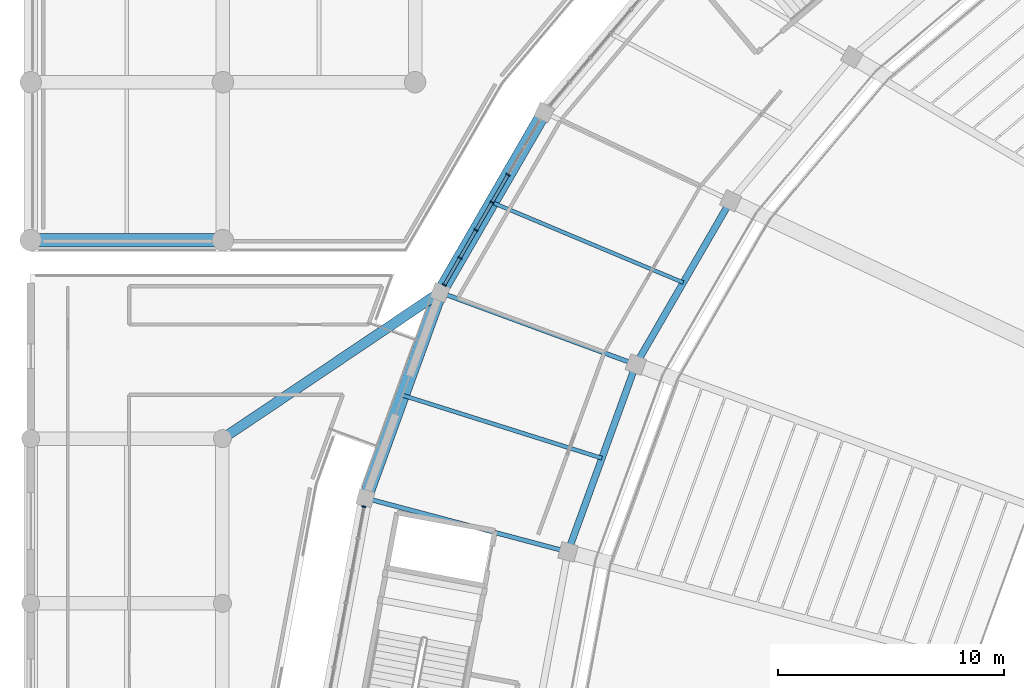
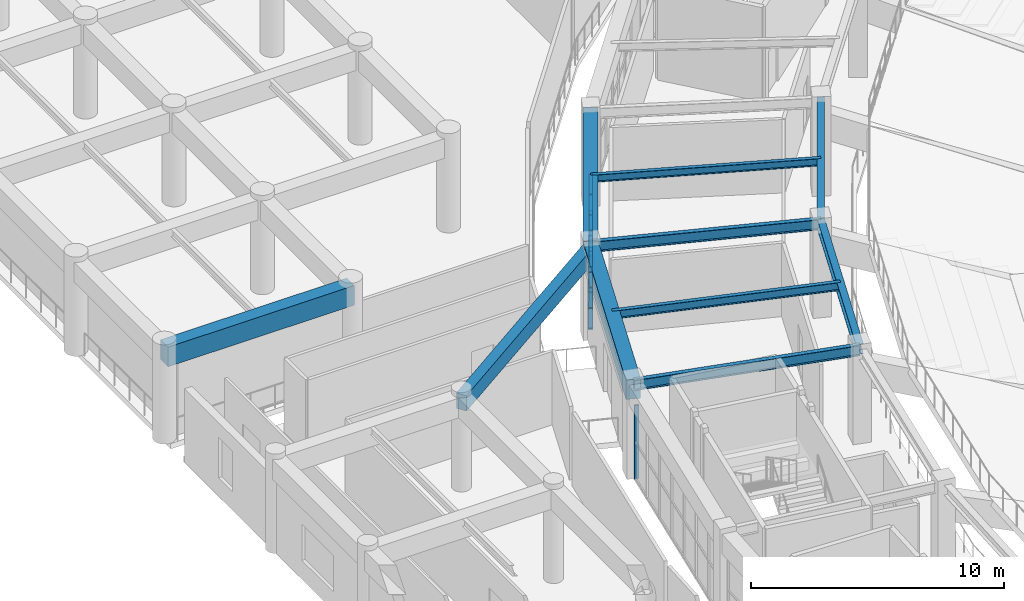
# One storey, part 30 of 137: 18 members, 10 beams, 2 elements without a shape of their own.
"""IFC4 building model written with IfcOpenShell, lengths in metres."""

from ifc_helpers import new_model, si_unit, direction, frame, origin, origin_2d, place, context, subcontext, project, spatial, rectangle, i_section, extrude, material, layer, layer_set, material_profile, profile_set, type_object, element, aggregate, save


model = new_model("IFC4")

# Units and contexts
model_context = context("Model", 3, precision=1e-05, world=origin(), true_north=direction((0.0, 1.0)))
body_context = subcontext(model_context, "Body", "Model", "MODEL_VIEW")
ifc_project = project(units=[si_unit("LENGTHUNIT", "METRE"), si_unit("AREAUNIT", "SQUARE_METRE"), si_unit("VOLUMEUNIT", "CUBIC_METRE"), si_unit("PLANEANGLEUNIT", "RADIAN"), si_unit("MASSUNIT", "GRAM", prefix="KILO")], contexts=[model_context])

# Site, building, storey
site_placement = place(None, origin())
site = spatial("IfcSite", under=ifc_project, at=site_placement, CompositionType="ELEMENT")
building_placement = place(site_placement, origin())
building = spatial("IfcBuilding", under=site, at=building_placement, Name="Mphavela Belvedere Stadium", CompositionType="ELEMENT")
storey_placement = place(building_placement, frame((0.0, 0.0, 19.199951171875)))
storey = spatial("IfcBuildingStorey", under=building, at=storey_placement, Name="L04", CompositionType="ELEMENT", Elevation=19.199951171875)

# Beams
ifc_material_1 = material(Name="Concrete C40/50", Category="concrete")
ifc_material_profile_1 = material_profile(ifc_material_1, rectangle(XDim=0.60009765625, YDim=0.949951171875, at=origin_2d()), Name="RC 600x950")
ifc_profile_set_1 = profile_set([ifc_material_profile_1], Name="Concrete C40/50")
beam_type_1 = type_object("IfcBeamType", Name="BM-ENTABLATURE-950", PredefinedType="SPANDREL", material=ifc_profile_set_1)
beam_1_placement = place(storey_placement, frame((22.757568359375, 130.66162109375, 4.074951171875), z_axis=(-0.500565297122, -0.865698783248, 0.0), x_axis=(0.865698783248, -0.500565297122, 0.0)))
element("IfcBeam", 1, at=beam_1_placement, inside=storey, type_object=beam_type_1, Name="Circumferential girder L04 R4-21", PredefinedType="SPANDREL", context=body_context, shape_type="SweptSolid", body=[
    extrude(rectangle(XDim=0.60009765625, YDim=0.949951171875, at=origin_2d()), origin(), (0.0, 0.0, 1.0), 9.217041015625),
])
beam_2_placement = place(storey_placement, frame((18.143798828125, 122.682373046875, 4.074951171875), z_axis=(-0.341017570596, -0.94005692197, 0.0), x_axis=(0.94005692197, -0.341017570596, 0.0)))
element("IfcBeam", 2, at=beam_2_placement, inside=storey, type_object=beam_type_1, Name="Circumferential girder L04 R4-22", PredefinedType="SPANDREL", context=body_context, shape_type="SweptSolid", body=[
    extrude(rectangle(XDim=0.60009765625, YDim=0.949951171875, at=origin_2d()), origin(), (0.0, 0.0, 1.0), 9.701416015625),
])
beam_3_placement = place(storey_placement, frame((0.0, 125.0, 4.06494140625), z_axis=(1.0, 0.0, 0.0), x_axis=(0.0, 1.0, 0.0)))
element("IfcBeam", 3, at=beam_3_placement, inside=storey, type_object=beam_type_1, Name="North Mast and Ceremonial End Forecourt entablature beam X L04 1-1", PredefinedType="SPANDREL", context=body_context, shape_type="SweptSolid", body=[
    extrude(rectangle(XDim=0.60009765625, YDim=0.949951171875, at=origin_2d()), origin(), (0.0, 0.0, 1.0), 8.51904296875),
])
ifc_material_2 = material(Name="Steel S355", Category="steel")
ifc_material_profile_2 = material_profile(ifc_material_2, i_section(OverallWidth=0.169921875, OverallDepth=0.360107421875, WebThickness=0.008056640625, FlangeThickness=0.0126953125, at=origin_2d()), Name="IPE 360")
ifc_profile_set_2 = profile_set([ifc_material_profile_2], Name="Steel S355")
beam_type_2 = type_object("IfcBeamType", Name="BM-JOIST-IPE360", PredefinedType="JOIST", material=ifc_profile_set_2)
beam_4_placement = place(storey_placement, frame((28.924560546875, 123.116455078125, 4.3701171875), z_axis=(-0.922122234563, 0.386898674751, 0.0), x_axis=(-0.386898674751, -0.922122234563, 0.0)))
element("IfcBeam", 4, at=beam_4_placement, inside=storey, type_object=beam_type_2, Name="Concourse floor joist L04-21", PredefinedType="JOIST", context=body_context, shape_type="SweptSolid", body=[
    extrude(i_section(OverallWidth=0.169921875, OverallDepth=0.360107421875, WebThickness=0.008056640625, FlangeThickness=0.0126953125, at=origin_2d()), origin(), (0.0, 0.0, 1.0), 9.189453125),
])
ifc_material_3 = material(Name="Steel S355", Category="steel")
ifc_material_profile_3 = material_profile(ifc_material_3, i_section(OverallWidth=0.179931640625, OverallDepth=0.39990234375, WebThickness=0.008544921875, FlangeThickness=0.013427734375, at=origin_2d()), Name="IPE 400")
ifc_profile_set_3 = profile_set([ifc_material_profile_3], Name="Steel S355")
beam_type_3 = type_object("IfcBeamType", Name="BM-JOIST-IPE400", PredefinedType="JOIST", material=ifc_profile_set_3)
beam_5_placement = place(storey_placement, frame((25.318359375, 115.3330078125, 4.35009765625), z_axis=(-0.953544002003, 0.301253773826, 0.0), x_axis=(-0.301253773826, -0.953544002003, 0.0)))
element("IfcBeam", 5, at=beam_5_placement, inside=storey, type_object=beam_type_3, Name="Concourse floor joist L04-22", PredefinedType="JOIST", context=body_context, shape_type="SweptSolid", body=[
    extrude(i_section(OverallWidth=0.179931640625, OverallDepth=0.39990234375, WebThickness=0.008544921875, FlangeThickness=0.013427734375, at=origin_2d()), origin(), (0.0, 0.0, 1.0), 9.259033203125),
])
ifc_material_4 = material(Name="Concrete C40/50", Category="concrete")
ifc_material_profile_4 = material_profile(ifc_material_4, rectangle(XDim=0.449951171875, YDim=0.75, at=origin_2d()), Name="RC 450x750")
ifc_profile_set_4 = profile_set([ifc_material_profile_4], Name="Concrete C40/50")
beam_type_4 = type_object("IfcBeamType", Name="BM-RC450x750", PredefinedType="BEAM", material=ifc_profile_set_4)
beam_6_placement = place(storey_placement, frame((8.5, 116.199951171875, 4.06494140625), z_axis=(0.82993028647, 0.557867116436, 0.0), x_axis=(-0.557867116436, 0.82993028647, 0.0)))
element("IfcBeam", 6, at=beam_6_placement, inside=storey, type_object=beam_type_4, Name="West Planted Eaves Peristyle Colonnade bowl link girder L04-6", PredefinedType="BEAM", context=body_context, shape_type="SweptSolid", body=[
    extrude(rectangle(XDim=0.449951171875, YDim=0.75, at=origin_2d()), origin(), (0.0, 0.0, 1.0), 11.6201171875),
])
ifc_material_5 = material(Name="Steel S355", Category="steel")
ifc_material_profile_5 = material_profile(ifc_material_5, i_section(OverallWidth=0.300048828125, OverallDepth=0.489990234375, WebThickness=0.011962890625, FlangeThickness=0.02294921875, at=origin_2d()), Name="HEA 500")
ifc_profile_set_5 = profile_set([ifc_material_profile_5], Name="Steel S355")
beam_type_5 = type_object("IfcBeamType", Name="BM-STEEL-HEA500", PredefinedType="BEAM", material=ifc_profile_set_5)
beam_7_placement = place(storey_placement, frame((31.0244140625, 126.748291015625, 4.304931640625), z_axis=(-0.500547586322, -0.865709023765, 0.0), x_axis=(0.865709023765, -0.500547586322, 0.0)))
element("IfcBeam", 7, at=beam_7_placement, inside=storey, type_object=beam_type_5, Name="Circumferential girder L04 R3-21", PredefinedType="BEAM", context=body_context, shape_type="SweptSolid", body=[
    extrude(i_section(OverallWidth=0.300048828125, OverallDepth=0.489990234375, WebThickness=0.011962890625, FlangeThickness=0.02294921875, at=origin_2d()), origin(), (0.0, 0.0, 1.0), 8.390625),
])
beam_8_placement = place(storey_placement, frame((26.824462890625, 119.484375, 4.304931640625), z_axis=(-0.341030504348, -0.940052229987, 0.0), x_axis=(0.940052229987, -0.341030504348, 0.0)))
element("IfcBeam", 8, at=beam_8_placement, inside=storey, type_object=beam_type_5, Name="Circumferential girder L04 R3-22", PredefinedType="BEAM", context=body_context, shape_type="SweptSolid", body=[
    extrude(i_section(OverallWidth=0.300048828125, OverallDepth=0.489990234375, WebThickness=0.011962890625, FlangeThickness=0.02294921875, at=origin_2d()), origin(), (0.0, 0.0, 1.0), 8.83203125),
])
ifc_material_6 = material(Name="Steel S355", Category="steel")
ifc_material_profile_6 = material_profile(ifc_material_6, i_section(OverallWidth=0.199951171875, OverallDepth=0.5, WebThickness=0.01025390625, FlangeThickness=0.01611328125, at=origin_2d()), Name="IPE 500")
ifc_profile_set_6 = profile_set([ifc_material_profile_6], Name="Steel S355")
beam_type_6 = type_object("IfcBeamType", Name="BM-STEEL-IPE500", PredefinedType="BEAM", material=ifc_profile_set_6)
beam_9_placement = place(storey_placement, frame((26.824462890625, 119.484375, 4.300048828125), z_axis=(-0.938348073025, 0.345691905967, 0.0), x_axis=(-0.345691905967, -0.938348073025, 0.0)))
element("IfcBeam", 9, at=beam_9_placement, inside=storey, type_object=beam_type_6, Name="Radial concourse girder L04 R3R4-22", PredefinedType="BEAM", context=body_context, shape_type="SweptSolid", body=[
    extrude(i_section(OverallWidth=0.199951171875, OverallDepth=0.5, WebThickness=0.01025390625, FlangeThickness=0.01611328125, at=origin_2d()), origin(), (0.0, 0.0, 1.0), 9.2509765625),
])
beam_10_placement = place(storey_placement, frame((23.8125, 111.181884765625, 4.300048828125), z_axis=(-0.966589609073, 0.256328944196, 0.0), x_axis=(-0.256328944196, -0.966589609073, 0.0)))
element("IfcBeam", 10, at=beam_10_placement, inside=storey, type_object=beam_type_6, Name="Radial concourse girder L04 R3R4-23", PredefinedType="BEAM", context=body_context, shape_type="SweptSolid", body=[
    extrude(i_section(OverallWidth=0.199951171875, OverallDepth=0.5, WebThickness=0.01025390625, FlangeThickness=0.01611328125, at=origin_2d()), origin(), (0.0, 0.0, 1.0), 9.287353515625),
])

# Curtain wall, members
ifc_material_7 = material(Name="Anodised bronze unitised curtain wall framing")
ifc_layer_1 = layer(ifc_material_7, 0.195068359375)
ifc_layer_set_1 = layer_set([ifc_layer_1], Name="Anodised bronze unitised curtain wall framing")
curtain_wall_type_1 = type_object("IfcCurtainWallType", Name="CW-UNIT-04", PredefinedType="USERDEFINED", material=ifc_layer_set_1)
curtain_wall_1_placement = place(storey_placement, origin())
curtain_wall_1 = element("IfcCurtainWall", 11, at=curtain_wall_1_placement, inside=storey, type_object=curtain_wall_type_1, Name="Belvedere colonnade curtain wall L04-21", ObjectType="UNITISED CURTAIN WALL", PredefinedType="USERDEFINED")
ifc_material_8 = material(Name="Anodised bronze extruded aluminium", Category="aluminium")
ifc_material_profile_7 = material_profile(ifc_material_8, rectangle(XDim=0.179931640625, YDim=0.06494140625, at=origin_2d()), Name="CW-MUL 180x65")
ifc_profile_set_7 = profile_set([ifc_material_profile_7], Name="Anodised bronze extruded aluminium")
member_type_1 = type_object("IfcMemberType", Name="CWM-180x65", PredefinedType="MULLION", material=ifc_profile_set_7)
member_1_placement = place(storey_placement, frame((21.16162109375, 127.9013671875, 0.0), z_axis=(0.0, 0.0, 1.0), x_axis=(0.865704159606, -0.500555998906, 0.0)))
member_1 = element("IfcMember", 12, at=member_1_placement, type_object=member_type_1, Name="CW-04 mullion 3", PredefinedType="MULLION", context=body_context, shape_type="SweptSolid", body=[
    extrude(rectangle(XDim=0.179931640625, YDim=0.06494140625, at=origin_2d()), origin(), (0.0, 0.0, 1.0), 3.570068359375),
])
member_2_placement = place(storey_placement, frame((20.45068359375, 126.671875, 0.0), z_axis=(0.0, 0.0, 1.0), x_axis=(0.865704159606, -0.500555998906, 0.0)))
member_2 = element("IfcMember", 13, at=member_2_placement, type_object=member_type_1, Name="CW-04 mullion 4", PredefinedType="MULLION", context=body_context, shape_type="SweptSolid", body=[
    extrude(rectangle(XDim=0.179931640625, YDim=0.06494140625, at=origin_2d()), origin(), (0.0, 0.0, 1.0), 3.570068359375),
])
member_3_placement = place(storey_placement, frame((19.73974609375, 125.4423828125, 0.0), z_axis=(0.0, 0.0, 1.0), x_axis=(0.865704159606, -0.500555998906, 0.0)))
member_3 = element("IfcMember", 14, at=member_3_placement, type_object=member_type_1, Name="CW-04 mullion 5", PredefinedType="MULLION", context=body_context, shape_type="SweptSolid", body=[
    extrude(rectangle(XDim=0.179931640625, YDim=0.06494140625, at=origin_2d()), origin(), (0.0, 0.0, 1.0), 3.570068359375),
])
member_4_placement = place(storey_placement, frame((19.029052734375, 124.213134765625, 0.0), z_axis=(0.0, 0.0, 1.0), x_axis=(0.865704159606, -0.500555998906, 0.0)))
member_4 = element("IfcMember", 15, at=member_4_placement, type_object=member_type_1, Name="CW-04 mullion 6", PredefinedType="MULLION", context=body_context, shape_type="SweptSolid", body=[
    extrude(rectangle(XDim=0.179931640625, YDim=0.06494140625, at=origin_2d()), origin(), (0.0, 0.0, 1.0), 3.570068359375),
])
member_5_placement = place(storey_placement, frame((18.33447265625, 123.01171875, 0.0), z_axis=(0.0, 0.0, 1.0), x_axis=(0.865704159606, -0.500555998906, 0.0)))
member_5 = element("IfcMember", 16, at=member_5_placement, type_object=member_type_1, Name="CW-04 mullion 7", PredefinedType="MULLION", context=body_context, shape_type="SweptSolid", body=[
    extrude(rectangle(XDim=0.179931640625, YDim=0.06494140625, at=origin_2d()), origin(), (0.0, 0.0, 1.0), 3.570068359375),
])

# Curtain wall, member
ifc_material_9 = material(Name="Anodised bronze unitised curtain wall framing")
ifc_layer_2 = layer(ifc_material_9, 0.199951171875)
ifc_layer_set_2 = layer_set([ifc_layer_2], Name="Anodised bronze unitised curtain wall framing")
curtain_wall_type_2 = type_object("IfcCurtainWallType", Name="CW-UNIT-05", PredefinedType="USERDEFINED", material=ifc_layer_set_2)
curtain_wall_2_placement = place(storey_placement, origin())
curtain_wall_2 = element("IfcCurtainWall", 17, at=curtain_wall_2_placement, inside=storey, type_object=curtain_wall_type_2, Name="Belvedere colonnade curtain wall L04-23", ObjectType="UNITISED CURTAIN WALL", PredefinedType="USERDEFINED")
member_6_placement = place(storey_placement, frame((14.765869140625, 113.1884765625, 0.0), z_axis=(0.0, 0.0, 1.0), x_axis=(0.98318393569, -0.182618040183, 0.0)))
member_6 = element("IfcMember", 18, at=member_6_placement, type_object=member_type_1, Name="CW-05 mullion 1", PredefinedType="MULLION", context=body_context, shape_type="SweptSolid", body=[
    extrude(rectangle(XDim=0.179931640625, YDim=0.06494140625, at=origin_2d()), origin(), (0.0, 0.0, 1.0), 3.570068359375),
])
aggregate(curtain_wall_2, [member_6])

# Member
ifc_material_10 = material(Name="Anodised bronze extruded aluminium", Category="aluminium")
ifc_material_profile_8 = material_profile(ifc_material_10, rectangle(XDim=0.139892578125, YDim=0.06005859375, at=origin_2d()), Name="CW-TRN 140x60")
ifc_profile_set_8 = profile_set([ifc_material_profile_8], Name="Anodised bronze extruded aluminium")
member_type_2 = type_object("IfcMemberType", Name="CWT-140x60", PredefinedType="USERDEFINED", material=ifc_profile_set_8)
member_7_placement = place(storey_placement, frame((21.145263671875, 127.873291015625, 0.030029296875), z_axis=(-0.500439658564, -0.865771417948, 0.0), x_axis=(0.865771417948, -0.500439658564, 0.0)))
member_7 = element("IfcMember", 19, at=member_7_placement, type_object=member_type_2, Name="CW-04 transom 3.1", ObjectType="TRANSOM", PredefinedType="USERDEFINED", context=body_context, shape_type="SweptSolid", body=[
    extrude(rectangle(XDim=0.139892578125, YDim=0.06005859375, at=origin_2d()), origin(), (0.0, 0.0, 1.0), 1.355224609375),
])

member_8_placement = place(storey_placement, frame((21.145263671875, 127.873291015625, 1.78515625), z_axis=(-0.500439658564, -0.865771417948, 0.0), x_axis=(0.865771417948, -0.500439658564, 0.0)))
member_8 = element("IfcMember", 20, at=member_8_placement, type_object=member_type_2, Name="CW-04 transom 3.2", ObjectType="TRANSOM", PredefinedType="USERDEFINED", context=body_context, shape_type="SweptSolid", body=[
    extrude(rectangle(XDim=0.139892578125, YDim=0.06005859375, at=origin_2d()), origin(), (0.0, 0.0, 1.0), 1.355224609375),
])

member_9_placement = place(storey_placement, frame((21.145263671875, 127.873291015625, 3.5400390625), z_axis=(-0.500439658564, -0.865771417948, 0.0), x_axis=(0.865771417948, -0.500439658564, 0.0)))
member_9 = element("IfcMember", 21, at=member_9_placement, type_object=member_type_2, Name="CW-04 transom 3.3", ObjectType="TRANSOM", PredefinedType="USERDEFINED", context=body_context, shape_type="SweptSolid", body=[
    extrude(rectangle(XDim=0.139892578125, YDim=0.06005859375, at=origin_2d()), origin(), (0.0, 0.0, 1.0), 1.355224609375),
])

member_10_placement = place(storey_placement, frame((20.434326171875, 126.643798828125, 0.030029296875), z_axis=(-0.50051771898, -0.865726292189, 0.0), x_axis=(0.865726292189, -0.50051771898, 0.0)))
member_10 = element("IfcMember", 22, at=member_10_placement, type_object=member_type_2, Name="CW-04 transom 4.1", ObjectType="TRANSOM", PredefinedType="USERDEFINED", context=body_context, shape_type="SweptSolid", body=[
    extrude(rectangle(XDim=0.139892578125, YDim=0.06005859375, at=origin_2d()), origin(), (0.0, 0.0, 1.0), 1.35498046875),
])

member_11_placement = place(storey_placement, frame((20.434326171875, 126.643798828125, 1.78515625), z_axis=(-0.50051771898, -0.865726292189, 0.0), x_axis=(0.865726292189, -0.50051771898, 0.0)))
member_11 = element("IfcMember", 23, at=member_11_placement, type_object=member_type_2, Name="CW-04 transom 4.2", ObjectType="TRANSOM", PredefinedType="USERDEFINED", context=body_context, shape_type="SweptSolid", body=[
    extrude(rectangle(XDim=0.139892578125, YDim=0.06005859375, at=origin_2d()), origin(), (0.0, 0.0, 1.0), 1.35498046875),
])

member_12_placement = place(storey_placement, frame((20.434326171875, 126.643798828125, 3.5400390625), z_axis=(-0.50051771898, -0.865726292189, 0.0), x_axis=(0.865726292189, -0.50051771898, 0.0)))
member_12 = element("IfcMember", 24, at=member_12_placement, type_object=member_type_2, Name="CW-04 transom 4.3", ObjectType="TRANSOM", PredefinedType="USERDEFINED", context=body_context, shape_type="SweptSolid", body=[
    extrude(rectangle(XDim=0.139892578125, YDim=0.06005859375, at=origin_2d()), origin(), (0.0, 0.0, 1.0), 1.35498046875),
])

member_13_placement = place(storey_placement, frame((19.7236328125, 125.414306640625, 0.030029296875), z_axis=(-0.500652736362, -0.865648218143, 0.0), x_axis=(0.865648218143, -0.500652736362, 0.0)))
member_13 = element("IfcMember", 25, at=member_13_placement, type_object=member_type_2, Name="CW-04 transom 5.1", ObjectType="TRANSOM", PredefinedType="USERDEFINED", context=body_context, shape_type="SweptSolid", body=[
    extrude(rectangle(XDim=0.139892578125, YDim=0.06005859375, at=origin_2d()), origin(), (0.0, 0.0, 1.0), 1.355224609375),
])

member_14_placement = place(storey_placement, frame((19.7236328125, 125.414306640625, 1.78515625), z_axis=(-0.500652736362, -0.865648218143, 0.0), x_axis=(0.865648218143, -0.500652736362, 0.0)))
member_14 = element("IfcMember", 26, at=member_14_placement, type_object=member_type_2, Name="CW-04 transom 5.2", ObjectType="TRANSOM", PredefinedType="USERDEFINED", context=body_context, shape_type="SweptSolid", body=[
    extrude(rectangle(XDim=0.139892578125, YDim=0.06005859375, at=origin_2d()), origin(), (0.0, 0.0, 1.0), 1.355224609375),
])

member_15_placement = place(storey_placement, frame((19.7236328125, 125.414306640625, 3.5400390625), z_axis=(-0.500652736362, -0.865648218143, 0.0), x_axis=(0.865648218143, -0.500652736362, 0.0)))
member_15 = element("IfcMember", 27, at=member_15_placement, type_object=member_type_2, Name="CW-04 transom 5.3", ObjectType="TRANSOM", PredefinedType="USERDEFINED", context=body_context, shape_type="SweptSolid", body=[
    extrude(rectangle(XDim=0.139892578125, YDim=0.06005859375, at=origin_2d()), origin(), (0.0, 0.0, 1.0), 1.355224609375),
])

member_16_placement = place(storey_placement, frame((19.0126953125, 124.184814453125, 0.030029296875), z_axis=(-0.500585088296, -0.865687339272, 0.0), x_axis=(0.865687339272, -0.500585088296, 0.0)))
member_16 = element("IfcMember", 28, at=member_16_placement, type_object=member_type_2, Name="CW-04 transom 6.1", ObjectType="TRANSOM", PredefinedType="USERDEFINED", context=body_context, shape_type="SweptSolid", body=[
    extrude(rectangle(XDim=0.139892578125, YDim=0.06005859375, at=origin_2d()), origin(), (0.0, 0.0, 1.0), 1.32275390625),
])

member_17_placement = place(storey_placement, frame((19.0126953125, 124.184814453125, 1.78515625), z_axis=(-0.500585088296, -0.865687339272, 0.0), x_axis=(0.865687339272, -0.500585088296, 0.0)))
member_17 = element("IfcMember", 29, at=member_17_placement, type_object=member_type_2, Name="CW-04 transom 6.2", ObjectType="TRANSOM", PredefinedType="USERDEFINED", context=body_context, shape_type="SweptSolid", body=[
    extrude(rectangle(XDim=0.139892578125, YDim=0.06005859375, at=origin_2d()), origin(), (0.0, 0.0, 1.0), 1.32275390625),
])

member_18_placement = place(storey_placement, frame((19.0126953125, 124.184814453125, 3.5400390625), z_axis=(-0.500585088296, -0.865687339272, 0.0), x_axis=(0.865687339272, -0.500585088296, 0.0)))
member_18 = element("IfcMember", 30, at=member_18_placement, type_object=member_type_2, Name="CW-04 transom 6.3", ObjectType="TRANSOM", PredefinedType="USERDEFINED", context=body_context, shape_type="SweptSolid", body=[
    extrude(rectangle(XDim=0.139892578125, YDim=0.06005859375, at=origin_2d()), origin(), (0.0, 0.0, 1.0), 1.32275390625),
])

aggregate(curtain_wall_1, [member_1, member_2, member_3, member_4, member_5, member_7, member_8, member_9, member_10, member_11, member_12, member_13, member_14, member_15, member_16, member_17, member_18])

save(model, "model.ifc")
